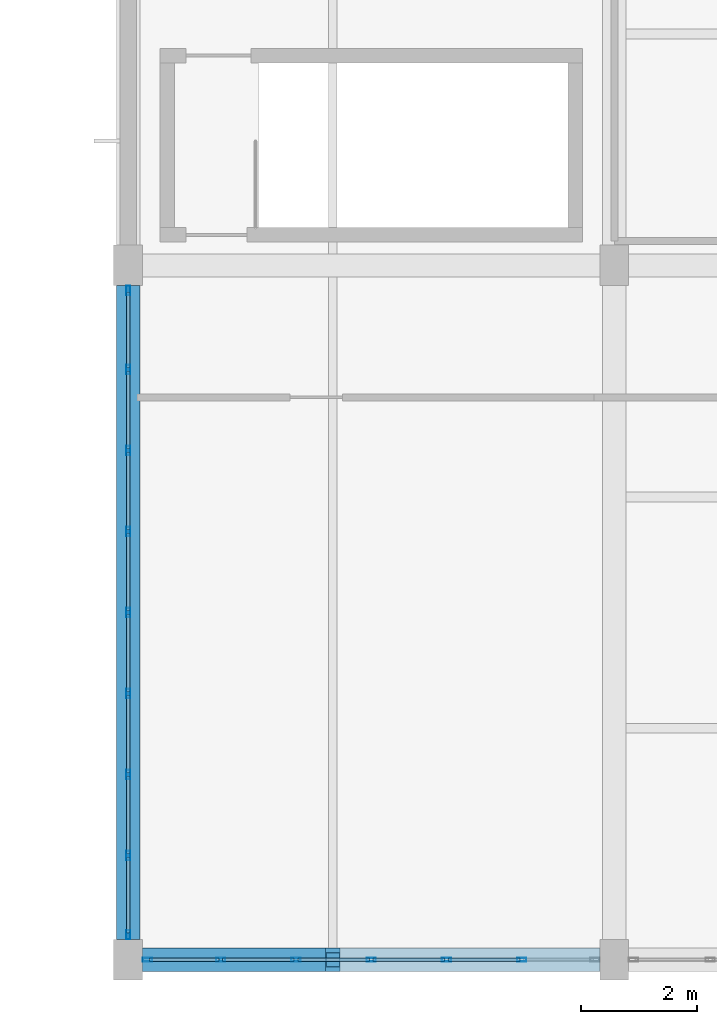
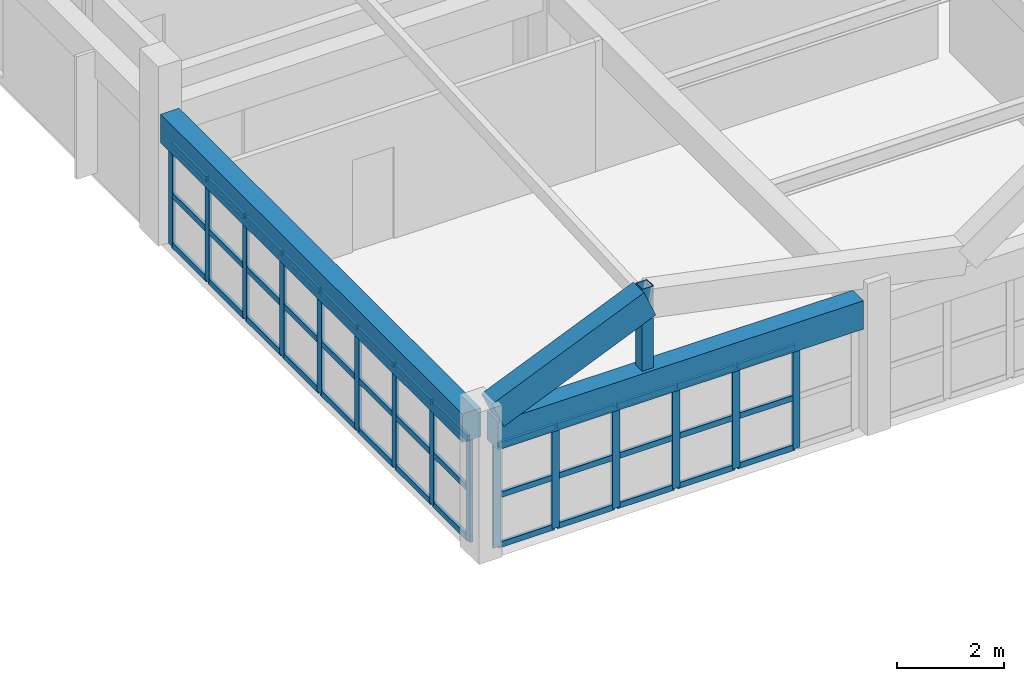
# One storey, part 9 of 127: 55 members, 3 beams, 2 elements without a shape of their own.
"""IFC4 building model written with IfcOpenShell, lengths in metres."""

from ifc_helpers import new_model, si_unit, direction, frame, origin, origin_2d, place, context, subcontext, project, spatial, rectangle, hollow_rectangle, extrude, material, material_profile, profile_set, type_object, element, aggregate, save


model = new_model("IFC4")

# Units and contexts
model_context = context("Model", 3, precision=1e-05, world=origin(), true_north=direction((0.0, 1.0)))
body_context = subcontext(model_context, "Body", "Model", "MODEL_VIEW")
ifc_project = project(units=[si_unit("LENGTHUNIT", "METRE"), si_unit("AREAUNIT", "SQUARE_METRE"), si_unit("VOLUMEUNIT", "CUBIC_METRE"), si_unit("PLANEANGLEUNIT", "RADIAN"), si_unit("MASSUNIT", "GRAM", prefix="KILO")], contexts=[model_context])

# Site, building, storey
site_placement = place(None, origin())
site = spatial("IfcSite", under=ifc_project, at=site_placement, CompositionType="ELEMENT")
building_placement = place(site_placement, origin())
building = spatial("IfcBuilding", under=site, at=building_placement, Name="Kestramere Prow Commons", CompositionType="ELEMENT")
storey_placement = place(building_placement, frame((0.0, 0.0, 8.39990234375)))
storey = spatial("IfcBuildingStorey", under=building, at=storey_placement, Name="L02", CompositionType="ELEMENT", Elevation=8.39990234375)

# Beams
ifc_material_1 = material(Name="Precast concrete C40/50", Category="concrete")
ifc_material_profile_1 = material_profile(ifc_material_1, rectangle(XDim=0.39990234375, YDim=0.64990234375, at=origin_2d()), Name="PC-BM 400x650")
ifc_profile_set_1 = profile_set([ifc_material_profile_1], Name="Precast concrete C40/50")
beam_type = type_object("IfcBeamType", Name="BM-MK-01 PC-BM 400x650 (EX)", PredefinedType="BEAM", material=ifc_profile_set_1)
beam_1_placement = place(storey_placement, frame((60.25, 0.0, 2.675048828125), z_axis=(1.0, 0.0, 0.0), x_axis=(0.0, 1.0, 0.0)))
element("IfcBeam", 1, at=beam_1_placement, inside=storey, type_object=beam_type, Name="Market Spine L02 Beam X 1-1", PredefinedType="BEAM", context=body_context, shape_type="SweptSolid", body=[
    extrude(rectangle(XDim=0.39990234375, YDim=0.64990234375, at=origin_2d()), origin(), (0.0, 0.0, 1.0), 7.89990234375),
])
beam_2_placement = place(storey_placement, frame((60.0, 0.35009765625, 2.675048828125), z_axis=(0.0, 1.0, 0.0), x_axis=(-1.0, 0.0, 0.0)))
element("IfcBeam", 2, at=beam_2_placement, inside=storey, type_object=beam_type, Name="Market Spine L02 Beam Y 1-1", PredefinedType="BEAM", context=body_context, shape_type="SweptSolid", body=[
    extrude(rectangle(XDim=0.39990234375, YDim=0.64990234375, at=origin_2d()), origin(), (0.0, 0.0, 1.0), 11.2998046875),
])
beam_3_placement = place(storey_placement, frame((60.25, 0.0, 3.14501953125), z_axis=(0.919963273648, 0.0, 0.392004560099), x_axis=(0.0, 1.0, 0.0)))
element("IfcBeam", 3, at=beam_3_placement, inside=storey, type_object=beam_type, Name="Market Folded Rafter 1L-0", PredefinedType="BEAM", context=body_context, shape_type="SweptSolid", body=[
    extrude(rectangle(XDim=0.39990234375, YDim=0.64990234375, at=origin_2d()), origin(), (0.0, 0.0, 1.0), 3.57177734375),
])

# Member
ifc_material_2 = material(Name="Steel S355JR", Category="steel")
ifc_material_profile_2 = material_profile(ifc_material_2, hollow_rectangle(XDim=0.25, YDim=0.25, WallThickness=0.012451171875, at=origin_2d()), Name="SHS 250x250x12.5")
ifc_profile_set_2 = profile_set([ifc_material_profile_2], Name="Steel S355JR")
member_type_1 = type_object("IfcMemberType", Name="BRAPX-01 SHS 250x250x12.5", PredefinedType="BRACE", material=ifc_profile_set_2)
member_1_placement = place(storey_placement, frame((63.535888671875, 0.0, 2.675048828125), z_axis=(0.0, 0.0, 1.0), x_axis=(1.0, 0.0, 0.0)))
element("IfcMember", 4, at=member_1_placement, inside=storey, type_object=member_type_1, Name="Market Folded Gable Diagonal Brace 1-0", PredefinedType="BRACE", context=body_context, shape_type="SweptSolid", body=[
    extrude(hollow_rectangle(XDim=0.25, YDim=0.25, WallThickness=0.012451171875, at=origin_2d()), origin(), (0.0, 0.0, 1.0), 2.195068359375),
])

# Curtain wall, members
ifc_material_3 = material(Name="Anodised Aluminium and Low-E Glass", Category="aluminium")
curtain_wall_type_1 = type_object("IfcCurtainWallType", Name="CW-28 Glazed Curtain Wall 7800x2340", PredefinedType="USERDEFINED", material=ifc_material_3)
curtain_wall_1_placement = place(storey_placement, origin())
curtain_wall_1 = element("IfcCurtainWall", 5, at=curtain_wall_1_placement, inside=storey, type_object=curtain_wall_type_1, Name="Market L02 South Shopfront 1", ObjectType="GLAZED CURTAIN WALL", PredefinedType="USERDEFINED")
ifc_material_4 = material(Name="Anodised Aluminium 6063-T6", Category="aluminium")
ifc_material_profile_3 = material_profile(ifc_material_4, hollow_rectangle(XDim=0.06494140625, YDim=0.159912109375, WallThickness=0.00390625, at=origin_2d()), Name="ALU-MUL 65x160")
ifc_profile_set_3 = profile_set([ifc_material_profile_3], Name="Anodised Aluminium 6063-T6")
member_type_2 = type_object("IfcMemberType", Name="CW-MUL-65x160", PredefinedType="MULLION", material=ifc_profile_set_3)
member_2_placement = place(storey_placement, frame((66.800048828125, 0.0, 0.0), z_axis=(0.0, 0.0, 1.0), x_axis=(0.0, -1.0, 0.0)))
member_2 = element("IfcMember", 6, at=member_2_placement, type_object=member_type_2, Name="CW-28 mullion 2", PredefinedType="MULLION", context=body_context, shape_type="SweptSolid", body=[
    extrude(hollow_rectangle(XDim=0.06494140625, YDim=0.159912109375, WallThickness=0.00390625, at=origin_2d()), origin(), (0.0, 0.0, 1.0), 2.340087890625),
])
member_3_placement = place(storey_placement, frame((65.5, 0.0, 0.0), z_axis=(0.0, 0.0, 1.0), x_axis=(0.0, -1.0, 0.0)))
member_3 = element("IfcMember", 7, at=member_3_placement, type_object=member_type_2, Name="CW-28 mullion 3", PredefinedType="MULLION", context=body_context, shape_type="SweptSolid", body=[
    extrude(hollow_rectangle(XDim=0.06494140625, YDim=0.159912109375, WallThickness=0.00390625, at=origin_2d()), origin(), (0.0, 0.0, 1.0), 2.340087890625),
])
member_4_placement = place(storey_placement, frame((64.199951171875, 0.0, 0.0), z_axis=(0.0, 0.0, 1.0), x_axis=(0.0, -1.0, 0.0)))
member_4 = element("IfcMember", 8, at=member_4_placement, type_object=member_type_2, Name="CW-28 mullion 4", PredefinedType="MULLION", context=body_context, shape_type="SweptSolid", body=[
    extrude(hollow_rectangle(XDim=0.06494140625, YDim=0.159912109375, WallThickness=0.00390625, at=origin_2d()), origin(), (0.0, 0.0, 1.0), 2.340087890625),
])
member_5_placement = place(storey_placement, frame((62.89990234375, 0.0, 0.0), z_axis=(0.0, 0.0, 1.0), x_axis=(0.0, -1.0, 0.0)))
member_5 = element("IfcMember", 9, at=member_5_placement, type_object=member_type_2, Name="CW-28 mullion 5", PredefinedType="MULLION", context=body_context, shape_type="SweptSolid", body=[
    extrude(hollow_rectangle(XDim=0.06494140625, YDim=0.159912109375, WallThickness=0.00390625, at=origin_2d()), origin(), (0.0, 0.0, 1.0), 2.340087890625),
])
member_6_placement = place(storey_placement, frame((61.60009765625, 0.0, 0.0), z_axis=(0.0, 0.0, 1.0), x_axis=(0.0, -1.0, 0.0)))
member_6 = element("IfcMember", 10, at=member_6_placement, type_object=member_type_2, Name="CW-28 mullion 6", PredefinedType="MULLION", context=body_context, shape_type="SweptSolid", body=[
    extrude(hollow_rectangle(XDim=0.06494140625, YDim=0.159912109375, WallThickness=0.00390625, at=origin_2d()), origin(), (0.0, 0.0, 1.0), 2.340087890625),
])
member_7_placement = place(storey_placement, frame((60.33251953125, 0.0, 0.0), z_axis=(0.0, 0.0, 1.0), x_axis=(0.0, -1.0, 0.0)))
member_7 = element("IfcMember", 11, at=member_7_placement, type_object=member_type_2, Name="CW-28 mullion 7", PredefinedType="MULLION", context=body_context, shape_type="SweptSolid", body=[
    extrude(hollow_rectangle(XDim=0.06494140625, YDim=0.159912109375, WallThickness=0.00390625, at=origin_2d()), origin(), (0.0, 0.0, 1.0), 2.340087890625),
])

curtain_wall_type_2 = type_object("IfcCurtainWallType", Name="CW-32 Glazed Curtain Wall 11200x2340", PredefinedType="USERDEFINED", material=ifc_material_3)
curtain_wall_2_placement = place(storey_placement, origin())
curtain_wall_2 = element("IfcCurtainWall", 12, at=curtain_wall_2_placement, inside=storey, type_object=curtain_wall_type_2, Name="Market L02 W Glazing", ObjectType="GLAZED CURTAIN WALL", PredefinedType="USERDEFINED")
member_8_placement = place(storey_placement, frame((60.0, 0.4326171875, 0.0), z_axis=(0.0, 0.0, 1.0), x_axis=(-1.0, 0.0, 0.0)))
member_8 = element("IfcMember", 13, at=member_8_placement, type_object=member_type_2, Name="CW-32 mullion 1", PredefinedType="MULLION", context=body_context, shape_type="SweptSolid", body=[
    extrude(hollow_rectangle(XDim=0.06494140625, YDim=0.159912109375, WallThickness=0.00390625, at=origin_2d()), origin(), (0.0, 0.0, 1.0), 2.340087890625),
])
member_9_placement = place(storey_placement, frame((60.0, 1.800048828125, 0.0), z_axis=(0.0, 0.0, 1.0), x_axis=(-1.0, 0.0, 0.0)))
member_9 = element("IfcMember", 14, at=member_9_placement, type_object=member_type_2, Name="CW-32 mullion 2", PredefinedType="MULLION", context=body_context, shape_type="SweptSolid", body=[
    extrude(hollow_rectangle(XDim=0.06494140625, YDim=0.159912109375, WallThickness=0.00390625, at=origin_2d()), origin(), (0.0, 0.0, 1.0), 2.340087890625),
])
member_10_placement = place(storey_placement, frame((60.0, 3.199951171875, 0.0), z_axis=(0.0, 0.0, 1.0), x_axis=(-1.0, 0.0, 0.0)))
member_10 = element("IfcMember", 15, at=member_10_placement, type_object=member_type_2, Name="CW-32 mullion 3", PredefinedType="MULLION", context=body_context, shape_type="SweptSolid", body=[
    extrude(hollow_rectangle(XDim=0.06494140625, YDim=0.159912109375, WallThickness=0.00390625, at=origin_2d()), origin(), (0.0, 0.0, 1.0), 2.340087890625),
])
member_11_placement = place(storey_placement, frame((60.0, 4.60009765625, 0.0), z_axis=(0.0, 0.0, 1.0), x_axis=(-1.0, 0.0, 0.0)))
member_11 = element("IfcMember", 16, at=member_11_placement, type_object=member_type_2, Name="CW-32 mullion 4", PredefinedType="MULLION", context=body_context, shape_type="SweptSolid", body=[
    extrude(hollow_rectangle(XDim=0.06494140625, YDim=0.159912109375, WallThickness=0.00390625, at=origin_2d()), origin(), (0.0, 0.0, 1.0), 2.340087890625),
])
member_12_placement = place(storey_placement, frame((60.0, 6.0, 0.0), z_axis=(0.0, 0.0, 1.0), x_axis=(-1.0, 0.0, 0.0)))
member_12 = element("IfcMember", 17, at=member_12_placement, type_object=member_type_2, Name="CW-32 mullion 5", PredefinedType="MULLION", context=body_context, shape_type="SweptSolid", body=[
    extrude(hollow_rectangle(XDim=0.06494140625, YDim=0.159912109375, WallThickness=0.00390625, at=origin_2d()), origin(), (0.0, 0.0, 1.0), 2.340087890625),
])
member_13_placement = place(storey_placement, frame((60.0, 7.39990234375, 0.0), z_axis=(0.0, 0.0, 1.0), x_axis=(-1.0, 0.0, 0.0)))
member_13 = element("IfcMember", 18, at=member_13_placement, type_object=member_type_2, Name="CW-32 mullion 6", PredefinedType="MULLION", context=body_context, shape_type="SweptSolid", body=[
    extrude(hollow_rectangle(XDim=0.06494140625, YDim=0.159912109375, WallThickness=0.00390625, at=origin_2d()), origin(), (0.0, 0.0, 1.0), 2.340087890625),
])
member_14_placement = place(storey_placement, frame((60.0, 8.800048828125, 0.0), z_axis=(0.0, 0.0, 1.0), x_axis=(-1.0, 0.0, 0.0)))
member_14 = element("IfcMember", 19, at=member_14_placement, type_object=member_type_2, Name="CW-32 mullion 7", PredefinedType="MULLION", context=body_context, shape_type="SweptSolid", body=[
    extrude(hollow_rectangle(XDim=0.06494140625, YDim=0.159912109375, WallThickness=0.00390625, at=origin_2d()), origin(), (0.0, 0.0, 1.0), 2.340087890625),
])
member_15_placement = place(storey_placement, frame((60.0, 10.199951171875, 0.0), z_axis=(0.0, 0.0, 1.0), x_axis=(-1.0, 0.0, 0.0)))
member_15 = element("IfcMember", 20, at=member_15_placement, type_object=member_type_2, Name="CW-32 mullion 8", PredefinedType="MULLION", context=body_context, shape_type="SweptSolid", body=[
    extrude(hollow_rectangle(XDim=0.06494140625, YDim=0.159912109375, WallThickness=0.00390625, at=origin_2d()), origin(), (0.0, 0.0, 1.0), 2.340087890625),
])
member_16_placement = place(storey_placement, frame((60.0, 11.5673828125, 0.0), z_axis=(0.0, 0.0, 1.0), x_axis=(-1.0, 0.0, 0.0)))
member_16 = element("IfcMember", 21, at=member_16_placement, type_object=member_type_2, Name="CW-32 mullion 9", PredefinedType="MULLION", context=body_context, shape_type="SweptSolid", body=[
    extrude(hollow_rectangle(XDim=0.06494140625, YDim=0.159912109375, WallThickness=0.00390625, at=origin_2d()), origin(), (0.0, 0.0, 1.0), 2.340087890625),
])

# Member
ifc_material_profile_4 = material_profile(ifc_material_4, hollow_rectangle(XDim=0.06494140625, YDim=0.1298828125, WallThickness=0.00390625, at=origin_2d()), Name="ALU-TRN 65x130")
ifc_profile_set_4 = profile_set([ifc_material_profile_4], Name="Anodised Aluminium 6063-T6")
member_type_3 = type_object("IfcMemberType", Name="CW-TRN-65x130", PredefinedType="USERDEFINED", material=ifc_profile_set_4)
member_17_placement = place(storey_placement, frame((66.767578125, 0.0, 0.03271484375), z_axis=(-1.0, 0.0, 0.0), x_axis=(0.0, -1.0, 0.0)))
member_17 = element("IfcMember", 22, at=member_17_placement, type_object=member_type_3, Name="CW-28 transom 2.1", ObjectType="TRANSOM", PredefinedType="USERDEFINED", context=body_context, shape_type="SweptSolid", body=[
    extrude(hollow_rectangle(XDim=0.06494140625, YDim=0.1298828125, WallThickness=0.00390625, at=origin_2d()), origin(), (0.0, 0.0, 1.0), 1.235107421875),
])

member_18_placement = place(storey_placement, frame((66.767578125, 0.0, 1.170166015625), z_axis=(-1.0, 0.0, 0.0), x_axis=(0.0, -1.0, 0.0)))
member_18 = element("IfcMember", 23, at=member_18_placement, type_object=member_type_3, Name="CW-28 transom 2.2", ObjectType="TRANSOM", PredefinedType="USERDEFINED", context=body_context, shape_type="SweptSolid", body=[
    extrude(hollow_rectangle(XDim=0.06494140625, YDim=0.1298828125, WallThickness=0.00390625, at=origin_2d()), origin(), (0.0, 0.0, 1.0), 1.235107421875),
])

member_19_placement = place(storey_placement, frame((66.767578125, 0.0, 2.3076171875), z_axis=(-1.0, 0.0, 0.0), x_axis=(0.0, -1.0, 0.0)))
member_19 = element("IfcMember", 24, at=member_19_placement, type_object=member_type_3, Name="CW-28 transom 2.3", ObjectType="TRANSOM", PredefinedType="USERDEFINED", context=body_context, shape_type="SweptSolid", body=[
    extrude(hollow_rectangle(XDim=0.06494140625, YDim=0.1298828125, WallThickness=0.00390625, at=origin_2d()), origin(), (0.0, 0.0, 1.0), 1.235107421875),
])

member_20_placement = place(storey_placement, frame((65.467529296875, 0.0, 0.03271484375), z_axis=(-1.0, 0.0, 0.0), x_axis=(0.0, -1.0, 0.0)))
member_20 = element("IfcMember", 25, at=member_20_placement, type_object=member_type_3, Name="CW-28 transom 3.1", ObjectType="TRANSOM", PredefinedType="USERDEFINED", context=body_context, shape_type="SweptSolid", body=[
    extrude(hollow_rectangle(XDim=0.06494140625, YDim=0.1298828125, WallThickness=0.00390625, at=origin_2d()), origin(), (0.0, 0.0, 1.0), 1.235107421875),
])

member_21_placement = place(storey_placement, frame((65.467529296875, 0.0, 1.170166015625), z_axis=(-1.0, 0.0, 0.0), x_axis=(0.0, -1.0, 0.0)))
member_21 = element("IfcMember", 26, at=member_21_placement, type_object=member_type_3, Name="CW-28 transom 3.2", ObjectType="TRANSOM", PredefinedType="USERDEFINED", context=body_context, shape_type="SweptSolid", body=[
    extrude(hollow_rectangle(XDim=0.06494140625, YDim=0.1298828125, WallThickness=0.00390625, at=origin_2d()), origin(), (0.0, 0.0, 1.0), 1.235107421875),
])

member_22_placement = place(storey_placement, frame((65.467529296875, 0.0, 2.3076171875), z_axis=(-1.0, 0.0, 0.0), x_axis=(0.0, -1.0, 0.0)))
member_22 = element("IfcMember", 27, at=member_22_placement, type_object=member_type_3, Name="CW-28 transom 3.3", ObjectType="TRANSOM", PredefinedType="USERDEFINED", context=body_context, shape_type="SweptSolid", body=[
    extrude(hollow_rectangle(XDim=0.06494140625, YDim=0.1298828125, WallThickness=0.00390625, at=origin_2d()), origin(), (0.0, 0.0, 1.0), 1.235107421875),
])

member_23_placement = place(storey_placement, frame((64.16748046875, 0.0, 0.03271484375), z_axis=(-1.0, 0.0, 0.0), x_axis=(0.0, -1.0, 0.0)))
member_23 = element("IfcMember", 28, at=member_23_placement, type_object=member_type_3, Name="CW-28 transom 4.1", ObjectType="TRANSOM", PredefinedType="USERDEFINED", context=body_context, shape_type="SweptSolid", body=[
    extrude(hollow_rectangle(XDim=0.06494140625, YDim=0.1298828125, WallThickness=0.00390625, at=origin_2d()), origin(), (0.0, 0.0, 1.0), 1.23486328125),
])

member_24_placement = place(storey_placement, frame((64.16748046875, 0.0, 1.170166015625), z_axis=(-1.0, 0.0, 0.0), x_axis=(0.0, -1.0, 0.0)))
member_24 = element("IfcMember", 29, at=member_24_placement, type_object=member_type_3, Name="CW-28 transom 4.2", ObjectType="TRANSOM", PredefinedType="USERDEFINED", context=body_context, shape_type="SweptSolid", body=[
    extrude(hollow_rectangle(XDim=0.06494140625, YDim=0.1298828125, WallThickness=0.00390625, at=origin_2d()), origin(), (0.0, 0.0, 1.0), 1.23486328125),
])

member_25_placement = place(storey_placement, frame((64.16748046875, 0.0, 2.3076171875), z_axis=(-1.0, 0.0, 0.0), x_axis=(0.0, -1.0, 0.0)))
member_25 = element("IfcMember", 30, at=member_25_placement, type_object=member_type_3, Name="CW-28 transom 4.3", ObjectType="TRANSOM", PredefinedType="USERDEFINED", context=body_context, shape_type="SweptSolid", body=[
    extrude(hollow_rectangle(XDim=0.06494140625, YDim=0.1298828125, WallThickness=0.00390625, at=origin_2d()), origin(), (0.0, 0.0, 1.0), 1.23486328125),
])

member_26_placement = place(storey_placement, frame((62.867431640625, 0.0, 0.03271484375), z_axis=(-1.0, 0.0, 0.0), x_axis=(0.0, -1.0, 0.0)))
member_26 = element("IfcMember", 31, at=member_26_placement, type_object=member_type_3, Name="CW-28 transom 5.1", ObjectType="TRANSOM", PredefinedType="USERDEFINED", context=body_context, shape_type="SweptSolid", body=[
    extrude(hollow_rectangle(XDim=0.06494140625, YDim=0.1298828125, WallThickness=0.00390625, at=origin_2d()), origin(), (0.0, 0.0, 1.0), 1.23486328125),
])

member_27_placement = place(storey_placement, frame((62.867431640625, 0.0, 1.170166015625), z_axis=(-1.0, 0.0, 0.0), x_axis=(0.0, -1.0, 0.0)))
member_27 = element("IfcMember", 32, at=member_27_placement, type_object=member_type_3, Name="CW-28 transom 5.2", ObjectType="TRANSOM", PredefinedType="USERDEFINED", context=body_context, shape_type="SweptSolid", body=[
    extrude(hollow_rectangle(XDim=0.06494140625, YDim=0.1298828125, WallThickness=0.00390625, at=origin_2d()), origin(), (0.0, 0.0, 1.0), 1.23486328125),
])

member_28_placement = place(storey_placement, frame((62.867431640625, 0.0, 2.3076171875), z_axis=(-1.0, 0.0, 0.0), x_axis=(0.0, -1.0, 0.0)))
member_28 = element("IfcMember", 33, at=member_28_placement, type_object=member_type_3, Name="CW-28 transom 5.3", ObjectType="TRANSOM", PredefinedType="USERDEFINED", context=body_context, shape_type="SweptSolid", body=[
    extrude(hollow_rectangle(XDim=0.06494140625, YDim=0.1298828125, WallThickness=0.00390625, at=origin_2d()), origin(), (0.0, 0.0, 1.0), 1.23486328125),
])

member_29_placement = place(storey_placement, frame((61.5673828125, 0.0, 0.03271484375), z_axis=(-1.0, 0.0, 0.0), x_axis=(0.0, -1.0, 0.0)))
member_29 = element("IfcMember", 34, at=member_29_placement, type_object=member_type_3, Name="CW-28 transom 6.1", ObjectType="TRANSOM", PredefinedType="USERDEFINED", context=body_context, shape_type="SweptSolid", body=[
    extrude(hollow_rectangle(XDim=0.06494140625, YDim=0.1298828125, WallThickness=0.00390625, at=origin_2d()), origin(), (0.0, 0.0, 1.0), 1.202392578125),
])

member_30_placement = place(storey_placement, frame((61.5673828125, 0.0, 1.170166015625), z_axis=(-1.0, 0.0, 0.0), x_axis=(0.0, -1.0, 0.0)))
member_30 = element("IfcMember", 35, at=member_30_placement, type_object=member_type_3, Name="CW-28 transom 6.2", ObjectType="TRANSOM", PredefinedType="USERDEFINED", context=body_context, shape_type="SweptSolid", body=[
    extrude(hollow_rectangle(XDim=0.06494140625, YDim=0.1298828125, WallThickness=0.00390625, at=origin_2d()), origin(), (0.0, 0.0, 1.0), 1.202392578125),
])

member_31_placement = place(storey_placement, frame((61.5673828125, 0.0, 2.3076171875), z_axis=(-1.0, 0.0, 0.0), x_axis=(0.0, -1.0, 0.0)))
member_31 = element("IfcMember", 36, at=member_31_placement, type_object=member_type_3, Name="CW-28 transom 6.3", ObjectType="TRANSOM", PredefinedType="USERDEFINED", context=body_context, shape_type="SweptSolid", body=[
    extrude(hollow_rectangle(XDim=0.06494140625, YDim=0.1298828125, WallThickness=0.00390625, at=origin_2d()), origin(), (0.0, 0.0, 1.0), 1.202392578125),
])

aggregate(curtain_wall_1, [member_2, member_3, member_4, member_5, member_6, member_7, member_17, member_18, member_19, member_20, member_21, member_22, member_23, member_24, member_25, member_26, member_27, member_28, member_29, member_30, member_31])

member_32_placement = place(storey_placement, frame((60.0, 0.465087890625, 0.03271484375), z_axis=(0.0, 1.0, 0.0), x_axis=(-1.0, 0.0, 0.0)))
member_32 = element("IfcMember", 37, at=member_32_placement, type_object=member_type_3, Name="CW-32 transom 1.1", ObjectType="TRANSOM", PredefinedType="USERDEFINED", context=body_context, shape_type="SweptSolid", body=[
    extrude(hollow_rectangle(XDim=0.06494140625, YDim=0.1298828125, WallThickness=0.00390625, at=origin_2d()), origin(), (0.0, 0.0, 1.0), 1.302490234375),
])

member_33_placement = place(storey_placement, frame((60.0, 0.465087890625, 1.170166015625), z_axis=(0.0, 1.0, 0.0), x_axis=(-1.0, 0.0, 0.0)))
member_33 = element("IfcMember", 38, at=member_33_placement, type_object=member_type_3, Name="CW-32 transom 1.2", ObjectType="TRANSOM", PredefinedType="USERDEFINED", context=body_context, shape_type="SweptSolid", body=[
    extrude(hollow_rectangle(XDim=0.06494140625, YDim=0.1298828125, WallThickness=0.00390625, at=origin_2d()), origin(), (0.0, 0.0, 1.0), 1.302490234375),
])

member_34_placement = place(storey_placement, frame((60.0, 0.465087890625, 2.3076171875), z_axis=(0.0, 1.0, 0.0), x_axis=(-1.0, 0.0, 0.0)))
member_34 = element("IfcMember", 39, at=member_34_placement, type_object=member_type_3, Name="CW-32 transom 1.3", ObjectType="TRANSOM", PredefinedType="USERDEFINED", context=body_context, shape_type="SweptSolid", body=[
    extrude(hollow_rectangle(XDim=0.06494140625, YDim=0.1298828125, WallThickness=0.00390625, at=origin_2d()), origin(), (0.0, 0.0, 1.0), 1.302490234375),
])

member_35_placement = place(storey_placement, frame((60.0, 1.83251953125, 0.03271484375), z_axis=(0.0, 1.0, 0.0), x_axis=(-1.0, 0.0, 0.0)))
member_35 = element("IfcMember", 40, at=member_35_placement, type_object=member_type_3, Name="CW-32 transom 2.1", ObjectType="TRANSOM", PredefinedType="USERDEFINED", context=body_context, shape_type="SweptSolid", body=[
    extrude(hollow_rectangle(XDim=0.06494140625, YDim=0.1298828125, WallThickness=0.00390625, at=origin_2d()), origin(), (0.0, 0.0, 1.0), 1.3349609375),
])

member_36_placement = place(storey_placement, frame((60.0, 1.83251953125, 1.170166015625), z_axis=(0.0, 1.0, 0.0), x_axis=(-1.0, 0.0, 0.0)))
member_36 = element("IfcMember", 41, at=member_36_placement, type_object=member_type_3, Name="CW-32 transom 2.2", ObjectType="TRANSOM", PredefinedType="USERDEFINED", context=body_context, shape_type="SweptSolid", body=[
    extrude(hollow_rectangle(XDim=0.06494140625, YDim=0.1298828125, WallThickness=0.00390625, at=origin_2d()), origin(), (0.0, 0.0, 1.0), 1.3349609375),
])

member_37_placement = place(storey_placement, frame((60.0, 1.83251953125, 2.3076171875), z_axis=(0.0, 1.0, 0.0), x_axis=(-1.0, 0.0, 0.0)))
member_37 = element("IfcMember", 42, at=member_37_placement, type_object=member_type_3, Name="CW-32 transom 2.3", ObjectType="TRANSOM", PredefinedType="USERDEFINED", context=body_context, shape_type="SweptSolid", body=[
    extrude(hollow_rectangle(XDim=0.06494140625, YDim=0.1298828125, WallThickness=0.00390625, at=origin_2d()), origin(), (0.0, 0.0, 1.0), 1.3349609375),
])

member_38_placement = place(storey_placement, frame((60.0, 3.232421875, 0.03271484375), z_axis=(0.0, 1.0, 0.0), x_axis=(-1.0, 0.0, 0.0)))
member_38 = element("IfcMember", 43, at=member_38_placement, type_object=member_type_3, Name="CW-32 transom 3.1", ObjectType="TRANSOM", PredefinedType="USERDEFINED", context=body_context, shape_type="SweptSolid", body=[
    extrude(hollow_rectangle(XDim=0.06494140625, YDim=0.1298828125, WallThickness=0.00390625, at=origin_2d()), origin(), (0.0, 0.0, 1.0), 1.3349609375),
])

member_39_placement = place(storey_placement, frame((60.0, 3.232421875, 1.170166015625), z_axis=(0.0, 1.0, 0.0), x_axis=(-1.0, 0.0, 0.0)))
member_39 = element("IfcMember", 44, at=member_39_placement, type_object=member_type_3, Name="CW-32 transom 3.2", ObjectType="TRANSOM", PredefinedType="USERDEFINED", context=body_context, shape_type="SweptSolid", body=[
    extrude(hollow_rectangle(XDim=0.06494140625, YDim=0.1298828125, WallThickness=0.00390625, at=origin_2d()), origin(), (0.0, 0.0, 1.0), 1.3349609375),
])

member_40_placement = place(storey_placement, frame((60.0, 3.232421875, 2.3076171875), z_axis=(0.0, 1.0, 0.0), x_axis=(-1.0, 0.0, 0.0)))
member_40 = element("IfcMember", 45, at=member_40_placement, type_object=member_type_3, Name="CW-32 transom 3.3", ObjectType="TRANSOM", PredefinedType="USERDEFINED", context=body_context, shape_type="SweptSolid", body=[
    extrude(hollow_rectangle(XDim=0.06494140625, YDim=0.1298828125, WallThickness=0.00390625, at=origin_2d()), origin(), (0.0, 0.0, 1.0), 1.3349609375),
])

member_41_placement = place(storey_placement, frame((60.0, 4.632568359375, 0.03271484375), z_axis=(0.0, 1.0, 0.0), x_axis=(-1.0, 0.0, 0.0)))
member_41 = element("IfcMember", 46, at=member_41_placement, type_object=member_type_3, Name="CW-32 transom 4.1", ObjectType="TRANSOM", PredefinedType="USERDEFINED", context=body_context, shape_type="SweptSolid", body=[
    extrude(hollow_rectangle(XDim=0.06494140625, YDim=0.1298828125, WallThickness=0.00390625, at=origin_2d()), origin(), (0.0, 0.0, 1.0), 1.3349609375),
])

member_42_placement = place(storey_placement, frame((60.0, 4.632568359375, 1.170166015625), z_axis=(0.0, 1.0, 0.0), x_axis=(-1.0, 0.0, 0.0)))
member_42 = element("IfcMember", 47, at=member_42_placement, type_object=member_type_3, Name="CW-32 transom 4.2", ObjectType="TRANSOM", PredefinedType="USERDEFINED", context=body_context, shape_type="SweptSolid", body=[
    extrude(hollow_rectangle(XDim=0.06494140625, YDim=0.1298828125, WallThickness=0.00390625, at=origin_2d()), origin(), (0.0, 0.0, 1.0), 1.3349609375),
])

member_43_placement = place(storey_placement, frame((60.0, 4.632568359375, 2.3076171875), z_axis=(0.0, 1.0, 0.0), x_axis=(-1.0, 0.0, 0.0)))
member_43 = element("IfcMember", 48, at=member_43_placement, type_object=member_type_3, Name="CW-32 transom 4.3", ObjectType="TRANSOM", PredefinedType="USERDEFINED", context=body_context, shape_type="SweptSolid", body=[
    extrude(hollow_rectangle(XDim=0.06494140625, YDim=0.1298828125, WallThickness=0.00390625, at=origin_2d()), origin(), (0.0, 0.0, 1.0), 1.3349609375),
])

member_44_placement = place(storey_placement, frame((60.0, 6.032470703125, 0.03271484375), z_axis=(0.0, 1.0, 0.0), x_axis=(-1.0, 0.0, 0.0)))
member_44 = element("IfcMember", 49, at=member_44_placement, type_object=member_type_3, Name="CW-32 transom 5.1", ObjectType="TRANSOM", PredefinedType="USERDEFINED", context=body_context, shape_type="SweptSolid", body=[
    extrude(hollow_rectangle(XDim=0.06494140625, YDim=0.1298828125, WallThickness=0.00390625, at=origin_2d()), origin(), (0.0, 0.0, 1.0), 1.3349609375),
])

member_45_placement = place(storey_placement, frame((60.0, 6.032470703125, 1.170166015625), z_axis=(0.0, 1.0, 0.0), x_axis=(-1.0, 0.0, 0.0)))
member_45 = element("IfcMember", 50, at=member_45_placement, type_object=member_type_3, Name="CW-32 transom 5.2", ObjectType="TRANSOM", PredefinedType="USERDEFINED", context=body_context, shape_type="SweptSolid", body=[
    extrude(hollow_rectangle(XDim=0.06494140625, YDim=0.1298828125, WallThickness=0.00390625, at=origin_2d()), origin(), (0.0, 0.0, 1.0), 1.3349609375),
])

member_46_placement = place(storey_placement, frame((60.0, 6.032470703125, 2.3076171875), z_axis=(0.0, 1.0, 0.0), x_axis=(-1.0, 0.0, 0.0)))
member_46 = element("IfcMember", 51, at=member_46_placement, type_object=member_type_3, Name="CW-32 transom 5.3", ObjectType="TRANSOM", PredefinedType="USERDEFINED", context=body_context, shape_type="SweptSolid", body=[
    extrude(hollow_rectangle(XDim=0.06494140625, YDim=0.1298828125, WallThickness=0.00390625, at=origin_2d()), origin(), (0.0, 0.0, 1.0), 1.3349609375),
])

member_47_placement = place(storey_placement, frame((60.0, 7.4326171875, 0.03271484375), z_axis=(0.0, 1.0, 0.0), x_axis=(-1.0, 0.0, 0.0)))
member_47 = element("IfcMember", 52, at=member_47_placement, type_object=member_type_3, Name="CW-32 transom 6.1", ObjectType="TRANSOM", PredefinedType="USERDEFINED", context=body_context, shape_type="SweptSolid", body=[
    extrude(hollow_rectangle(XDim=0.06494140625, YDim=0.1298828125, WallThickness=0.00390625, at=origin_2d()), origin(), (0.0, 0.0, 1.0), 1.3349609375),
])

member_48_placement = place(storey_placement, frame((60.0, 7.4326171875, 1.170166015625), z_axis=(0.0, 1.0, 0.0), x_axis=(-1.0, 0.0, 0.0)))
member_48 = element("IfcMember", 53, at=member_48_placement, type_object=member_type_3, Name="CW-32 transom 6.2", ObjectType="TRANSOM", PredefinedType="USERDEFINED", context=body_context, shape_type="SweptSolid", body=[
    extrude(hollow_rectangle(XDim=0.06494140625, YDim=0.1298828125, WallThickness=0.00390625, at=origin_2d()), origin(), (0.0, 0.0, 1.0), 1.3349609375),
])

member_49_placement = place(storey_placement, frame((60.0, 7.4326171875, 2.3076171875), z_axis=(0.0, 1.0, 0.0), x_axis=(-1.0, 0.0, 0.0)))
member_49 = element("IfcMember", 54, at=member_49_placement, type_object=member_type_3, Name="CW-32 transom 6.3", ObjectType="TRANSOM", PredefinedType="USERDEFINED", context=body_context, shape_type="SweptSolid", body=[
    extrude(hollow_rectangle(XDim=0.06494140625, YDim=0.1298828125, WallThickness=0.00390625, at=origin_2d()), origin(), (0.0, 0.0, 1.0), 1.3349609375),
])

member_50_placement = place(storey_placement, frame((60.0, 8.83251953125, 0.03271484375), z_axis=(0.0, 1.0, 0.0), x_axis=(-1.0, 0.0, 0.0)))
member_50 = element("IfcMember", 55, at=member_50_placement, type_object=member_type_3, Name="CW-32 transom 7.1", ObjectType="TRANSOM", PredefinedType="USERDEFINED", context=body_context, shape_type="SweptSolid", body=[
    extrude(hollow_rectangle(XDim=0.06494140625, YDim=0.1298828125, WallThickness=0.00390625, at=origin_2d()), origin(), (0.0, 0.0, 1.0), 1.3349609375),
])

member_51_placement = place(storey_placement, frame((60.0, 8.83251953125, 1.170166015625), z_axis=(0.0, 1.0, 0.0), x_axis=(-1.0, 0.0, 0.0)))
member_51 = element("IfcMember", 56, at=member_51_placement, type_object=member_type_3, Name="CW-32 transom 7.2", ObjectType="TRANSOM", PredefinedType="USERDEFINED", context=body_context, shape_type="SweptSolid", body=[
    extrude(hollow_rectangle(XDim=0.06494140625, YDim=0.1298828125, WallThickness=0.00390625, at=origin_2d()), origin(), (0.0, 0.0, 1.0), 1.3349609375),
])

member_52_placement = place(storey_placement, frame((60.0, 8.83251953125, 2.3076171875), z_axis=(0.0, 1.0, 0.0), x_axis=(-1.0, 0.0, 0.0)))
member_52 = element("IfcMember", 57, at=member_52_placement, type_object=member_type_3, Name="CW-32 transom 7.3", ObjectType="TRANSOM", PredefinedType="USERDEFINED", context=body_context, shape_type="SweptSolid", body=[
    extrude(hollow_rectangle(XDim=0.06494140625, YDim=0.1298828125, WallThickness=0.00390625, at=origin_2d()), origin(), (0.0, 0.0, 1.0), 1.3349609375),
])

member_53_placement = place(storey_placement, frame((60.0, 10.232421875, 0.03271484375), z_axis=(0.0, 1.0, 0.0), x_axis=(-1.0, 0.0, 0.0)))
member_53 = element("IfcMember", 58, at=member_53_placement, type_object=member_type_3, Name="CW-32 transom 8.1", ObjectType="TRANSOM", PredefinedType="USERDEFINED", context=body_context, shape_type="SweptSolid", body=[
    extrude(hollow_rectangle(XDim=0.06494140625, YDim=0.1298828125, WallThickness=0.00390625, at=origin_2d()), origin(), (0.0, 0.0, 1.0), 1.302490234375),
])

member_54_placement = place(storey_placement, frame((60.0, 10.232421875, 1.170166015625), z_axis=(0.0, 1.0, 0.0), x_axis=(-1.0, 0.0, 0.0)))
member_54 = element("IfcMember", 59, at=member_54_placement, type_object=member_type_3, Name="CW-32 transom 8.2", ObjectType="TRANSOM", PredefinedType="USERDEFINED", context=body_context, shape_type="SweptSolid", body=[
    extrude(hollow_rectangle(XDim=0.06494140625, YDim=0.1298828125, WallThickness=0.00390625, at=origin_2d()), origin(), (0.0, 0.0, 1.0), 1.302490234375),
])

member_55_placement = place(storey_placement, frame((60.0, 10.232421875, 2.3076171875), z_axis=(0.0, 1.0, 0.0), x_axis=(-1.0, 0.0, 0.0)))
member_55 = element("IfcMember", 60, at=member_55_placement, type_object=member_type_3, Name="CW-32 transom 8.3", ObjectType="TRANSOM", PredefinedType="USERDEFINED", context=body_context, shape_type="SweptSolid", body=[
    extrude(hollow_rectangle(XDim=0.06494140625, YDim=0.1298828125, WallThickness=0.00390625, at=origin_2d()), origin(), (0.0, 0.0, 1.0), 1.302490234375),
])

aggregate(curtain_wall_2, [member_8, member_9, member_10, member_11, member_12, member_13, member_14, member_15, member_16, member_32, member_33, member_34, member_35, member_36, member_37, member_38, member_39, member_40, member_41, member_42, member_43, member_44, member_45, member_46, member_47, member_48, member_49, member_50, member_51, member_52, member_53, member_54, member_55])

save(model, "model.ifc")
